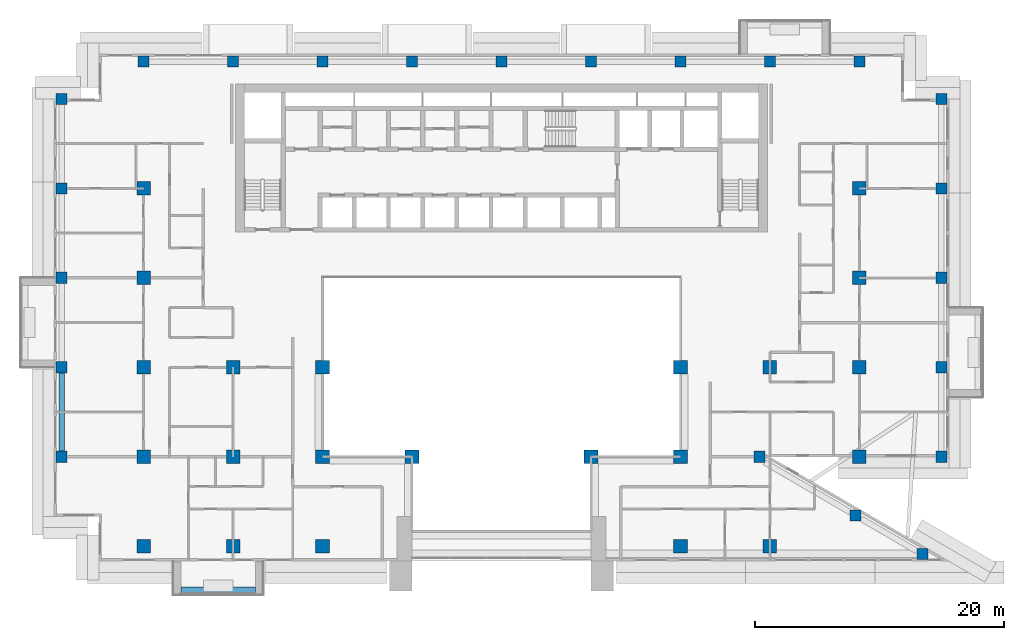
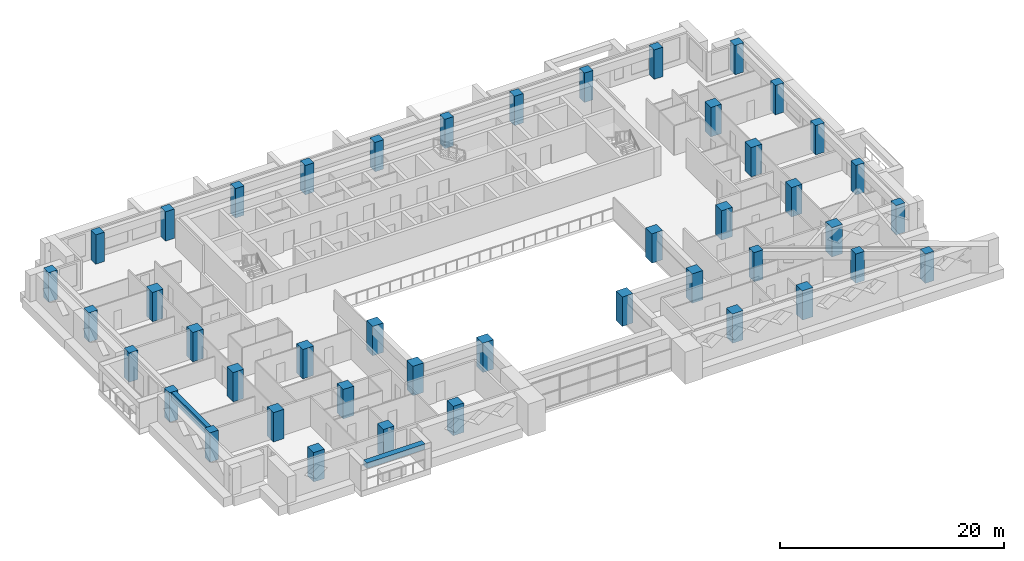
# One storey, part 1 of 19: 44 columns, 2 beams.
"""IFC4 building model written with IfcOpenShell, lengths in metres."""

from ifc_helpers import new_model, si_unit, direction, frame, origin, origin_2d, place, context, subcontext, project, spatial, rectangle, extrude, source, transform, mapped, material, material_profile, profile_set, type_object, element, save


model = new_model("IFC4")

# Units and contexts
model_context = context("Model", 3, precision=1e-05, world=origin(), true_north=direction((0.0, 1.0)))
body_context = subcontext(model_context, "Body", "Model", "MODEL_VIEW")
ifc_project = project(units=[si_unit("LENGTHUNIT", "METRE"), si_unit("AREAUNIT", "SQUARE_METRE"), si_unit("VOLUMEUNIT", "CUBIC_METRE"), si_unit("PLANEANGLEUNIT", "RADIAN"), si_unit("MASSUNIT", "GRAM", prefix="KILO")], contexts=[model_context])

# Site, building, storey
site_placement = place(None, origin())
site = spatial("IfcSite", under=ifc_project, at=site_placement, CompositionType="ELEMENT")
building_placement = place(site_placement, origin())
building = spatial("IfcBuilding", under=site, at=building_placement, Name="Saffron Iwan Residences", CompositionType="ELEMENT")
storey_placement = place(building_placement, frame((0.0, 0.0, 120.0)))
storey = spatial("IfcBuildingStorey", under=building, at=storey_placement, Name="L31", CompositionType="ELEMENT", Elevation=120.0)

# Columns
ifc_material_1 = material(Name="Concrete C50/60", Category="concrete")
ifc_material_profile_1 = material_profile(ifc_material_1, rectangle(XDim=1.10009765625, YDim=1.10009765625, at=origin_2d()), Name="RC 1100x1100")
ifc_profile_set_1 = profile_set([ifc_material_profile_1], Name="Concrete C50/60")
column_type_1 = type_object("IfcColumnType", Name="COL RC 1100x1100 C50/60 3200 HIGH", PredefinedType="COLUMN", material=ifc_profile_set_1)
shared_shape_1 = source(origin(), body_context, "Body", "SweptSolid", [
    extrude(rectangle(XDim=1.10009765625, YDim=1.10009765625, at=origin_2d()), origin(), (0.0, 0.0, 1.0), 3.199951171875),
])
for number, where, z_axis, x_axis, name in (
    (1, (21.60009765625, 40.800048828125, 0.0), (0.0, 0.0, 1.0), (1.0, 0.0, 0.0), "Column C049"),
    (2, (28.800048828125, 40.800048828125, 0.0), (0.0, 0.0, 1.0), (1.0, 0.0, 0.0), "Column C051"),
    (3, (36.0, 40.800048828125, 0.0), (0.0, 0.0, 1.0), (1.0, 0.0, 0.0), "Column C052"),
    (4, (64.800048828125, 40.800048828125, 0.0), (0.0, 0.0, 1.0), (1.0, 0.0, 0.0), "Column C055"),
    (5, (72.0, 40.800048828125, 0.0), (0.0, 0.0, 1.0), (1.0, 0.0, 0.0), "Column C056"),
    (6, (21.60009765625, 48.0, 0.0), (0.0, 0.0, 1.0), (1.0, 0.0, 0.0), "Column C063"),
    (7, (28.800048828125, 48.0, 0.0), (0.0, 0.0, 1.0), (1.0, 0.0, 0.0), "Column C064"),
    (8, (36.0, 48.0, 0.0), (0.0, 0.0, 1.0), (1.0, 0.0, 0.0), "Column C065"),
    (9, (43.199951171875, 48.0, 0.0), (0.0, 0.0, 1.0), (1.0, 0.0, 0.0), "Column C066"),
    (10, (57.60009765625, 48.0, 0.0), (0.0, 0.0, 1.0), (1.0, 0.0, 0.0), "Column C068"),
    (11, (64.800048828125, 48.0, 0.0), (0.0, 0.0, 1.0), (1.0, 0.0, 0.0), "Column C069"),
    (12, (79.199951171875, 48.0, 0.0), (0.0, 0.0, 1.0), (1.0, 0.0, 0.0), "Column C072"),
    (13, (21.60009765625, 55.199951171875, 0.0), (0.0, 0.0, 1.0), (1.0, 0.0, 0.0), "Column C079"),
    (14, (28.800048828125, 55.199951171875, 0.0), (0.0, 0.0, 1.0), (1.0, 0.0, 0.0), "Column C080"),
    (15, (36.0, 55.199951171875, 0.0), (0.0, 0.0, 1.0), (1.0, 0.0, 0.0), "Column C081"),
    (16, (64.800048828125, 55.199951171875, 0.0), (0.0, 0.0, 1.0), (1.0, 0.0, 0.0), "Column C082"),
    (17, (72.0, 55.199951171875, 0.0), (0.0, 0.0, 1.0), (1.0, 0.0, 0.0), "Column C083"),
    (18, (79.199951171875, 55.199951171875, 0.0), (0.0, 0.0, 1.0), (1.0, 0.0, 0.0), "Column C084"),
    (19, (21.60009765625, 62.39990234375, 0.0), (0.0, 0.0, 1.0), (1.0, 0.0, 0.0), "Column C091"),
    (20, (79.199951171875, 62.39990234375, 0.0), (0.0, 0.0, 1.0), (1.0, 0.0, 0.0), "Column C092"),
    (21, (21.60009765625, 69.60009765625, 0.0), (0.0, 0.0, 1.0), (1.0, 0.0, 0.0), "Column C099"),
    (22, (79.199951171875, 69.60009765625, 0.0), (0.0, 0.0, 1.0), (1.0, 0.0, 0.0), "Column C100"),
):
    element("IfcColumn", number, at=place(storey_placement, frame(where, z_axis=z_axis, x_axis=x_axis)), inside=storey, type_object=column_type_1, Name=name, PredefinedType="COLUMN", context=body_context, shape_type="MappedRepresentation", body=[
        mapped(shared_shape_1, transform((0.0, 0.0, 0.0))),
    ])
ifc_material_profile_2 = material_profile(ifc_material_1, rectangle(XDim=0.89990234375, YDim=0.89990234375, at=origin_2d()), Name="RC 900x900")
ifc_profile_set_2 = profile_set([ifc_material_profile_2], Name="Concrete C50/60")
column_type_2 = type_object("IfcColumnType", Name="COL RC 900x900 C50/60 3200 HIGH", PredefinedType="COLUMN", material=ifc_profile_set_2)
shared_shape_2 = source(origin(), body_context, "Body", "SweptSolid", [
    extrude(rectangle(XDim=0.89990234375, YDim=0.89990234375, at=origin_2d()), origin(), (0.0, 0.0, 1.0), 3.199951171875),
])
for number, where, z_axis, x_axis, name in (
    (23, (84.276123046875, 40.17431640625, 0.0), (0.0, 0.0, 1.0), (1.0, 0.0, 0.0), "Column C045"),
    (24, (78.897705078125, 43.28173828125, 0.0), (0.0, 0.0, 1.0), (1.0, 0.0, 0.0), "Column C058"),
    (25, (15.0, 48.0, 0.0), (0.0, 0.0, 1.0), (1.0, 0.0, 0.0), "Column C061"),
    (26, (71.14990234375, 48.0, 0.0), (0.0, 0.0, 1.0), (1.0, 0.0, 0.0), "Column C070"),
    (27, (85.800048828125, 48.0, 0.0), (0.0, 0.0, 1.0), (1.0, 0.0, 0.0), "Column C074"),
    (28, (15.0, 55.199951171875, 0.0), (0.0, 0.0, 1.0), (1.0, 0.0, 0.0), "Column C077"),
    (29, (85.800048828125, 55.199951171875, 0.0), (0.0, 0.0, 1.0), (1.0, 0.0, 0.0), "Column C086"),
    (30, (15.0, 62.39990234375, 0.0), (0.0, 0.0, 1.0), (1.0, 0.0, 0.0), "Column C089"),
    (31, (85.800048828125, 62.39990234375, 0.0), (0.0, 0.0, 1.0), (1.0, 0.0, 0.0), "Column C094"),
    (32, (15.0, 69.60009765625, 0.0), (0.0, 0.0, 1.0), (1.0, 0.0, 0.0), "Column C097"),
    (33, (85.800048828125, 69.60009765625, 0.0), (0.0, 0.0, 1.0), (1.0, 0.0, 0.0), "Column C102"),
    (34, (15.0, 76.800048828125, 0.0), (0.0, 0.0, 1.0), (1.0, 0.0, 0.0), "Column C105"),
    (35, (85.800048828125, 76.800048828125, 0.0), (0.0, 0.0, 1.0), (1.0, 0.0, 0.0), "Column C110"),
    (36, (21.60009765625, 79.800048828125, 0.0), (0.0, 0.0, 1.0), (1.0, 0.0, 0.0), "Column C113"),
    (37, (28.800048828125, 79.800048828125, 0.0), (0.0, 0.0, 1.0), (1.0, 0.0, 0.0), "Column C115"),
    (38, (36.0, 79.800048828125, 0.0), (0.0, 0.0, 1.0), (1.0, 0.0, 0.0), "Column C116"),
    (39, (43.199951171875, 79.800048828125, 0.0), (0.0, 0.0, 1.0), (1.0, 0.0, 0.0), "Column C117"),
    (40, (50.39990234375, 79.800048828125, 0.0), (0.0, 0.0, 1.0), (1.0, 0.0, 0.0), "Column C118"),
    (41, (57.60009765625, 79.800048828125, 0.0), (0.0, 0.0, 1.0), (1.0, 0.0, 0.0), "Column C119"),
    (42, (64.800048828125, 79.800048828125, 0.0), (0.0, 0.0, 1.0), (1.0, 0.0, 0.0), "Column C120"),
    (43, (72.0, 79.800048828125, 0.0), (0.0, 0.0, 1.0), (1.0, 0.0, 0.0), "Column C121"),
    (44, (79.199951171875, 79.800048828125, 0.0), (0.0, 0.0, 1.0), (1.0, 0.0, 0.0), "Column C123"),
):
    element("IfcColumn", number, at=place(storey_placement, frame(where, z_axis=z_axis, x_axis=x_axis)), inside=storey, type_object=column_type_2, Name=name, PredefinedType="COLUMN", context=body_context, shape_type="MappedRepresentation", body=[
        mapped(shared_shape_2, transform((0.0, 0.0, 0.0))),
    ])

# Beams
ifc_material_profile_3 = material_profile(ifc_material_1, rectangle(XDim=0.449951171875, YDim=0.89990234375, at=origin_2d()), Name="RC 450x900")
ifc_profile_set_3 = profile_set([ifc_material_profile_3], Name="Concrete C50/60")
beam_type_1 = type_object("IfcBeamType", Name="SPANDREL BEAM RC 450x900 C50/60 TOP 3200", PredefinedType="SPANDREL", material=ifc_profile_set_3)
shared_shape_3 = source(origin(), body_context, "Body", "SweptSolid", [
    extrude(rectangle(XDim=0.449951171875, YDim=0.89990234375, at=origin_2d()), origin(), (0.0, 0.0, 1.0), 6.300048828125),
])
beam_1_placement = place(storey_placement, frame((15.0, 48.449951171875, 2.75), z_axis=(0.0, 1.0, 0.0), x_axis=(-1.0, 0.0, 0.0)))
element("IfcBeam", 45, at=beam_1_placement, inside=storey, type_object=beam_type_1, Name="Spandrel beam", PredefinedType="SPANDREL", context=body_context, shape_type="MappedRepresentation", body=[
    mapped(shared_shape_3, transform((0.0, 0.0, 0.0))),
])
ifc_material_2 = material(Name="Concrete C50/60 white painted", Category="concrete")
ifc_material_profile_4 = material_profile(ifc_material_2, rectangle(XDim=0.60009765625, YDim=0.60009765625, at=origin_2d()), Name="BALCONY FASCIA BEAM 600 x 600")
ifc_profile_set_4 = profile_set([ifc_material_profile_4], Name="Concrete C50/60 white painted")
beam_type_2 = type_object("IfcBeamType", Name="BALCONY FASCIA BEAM 600 x 600", PredefinedType="BEAM", material=ifc_profile_set_4)
shared_shape_4 = source(origin(), body_context, "Body", "SweptSolid", [
    extrude(rectangle(XDim=0.60009765625, YDim=0.60009765625, at=origin_2d()), origin(), (0.0, 0.0, 1.0), 6.0),
])
beam_2_placement = place(storey_placement, frame((24.60009765625, 37.199951171875, 2.550048828125), z_axis=(1.0, 0.0, 0.0), x_axis=(0.0, 1.0, 0.0)))
element("IfcBeam", 46, at=beam_2_placement, inside=storey, type_object=beam_type_2, Name="Balcony fascia beam L31 11-0", PredefinedType="BEAM", context=body_context, shape_type="MappedRepresentation", body=[
    mapped(shared_shape_4, transform((0.0, 0.0, 0.0))),
])

save(model, "model.ifc")
